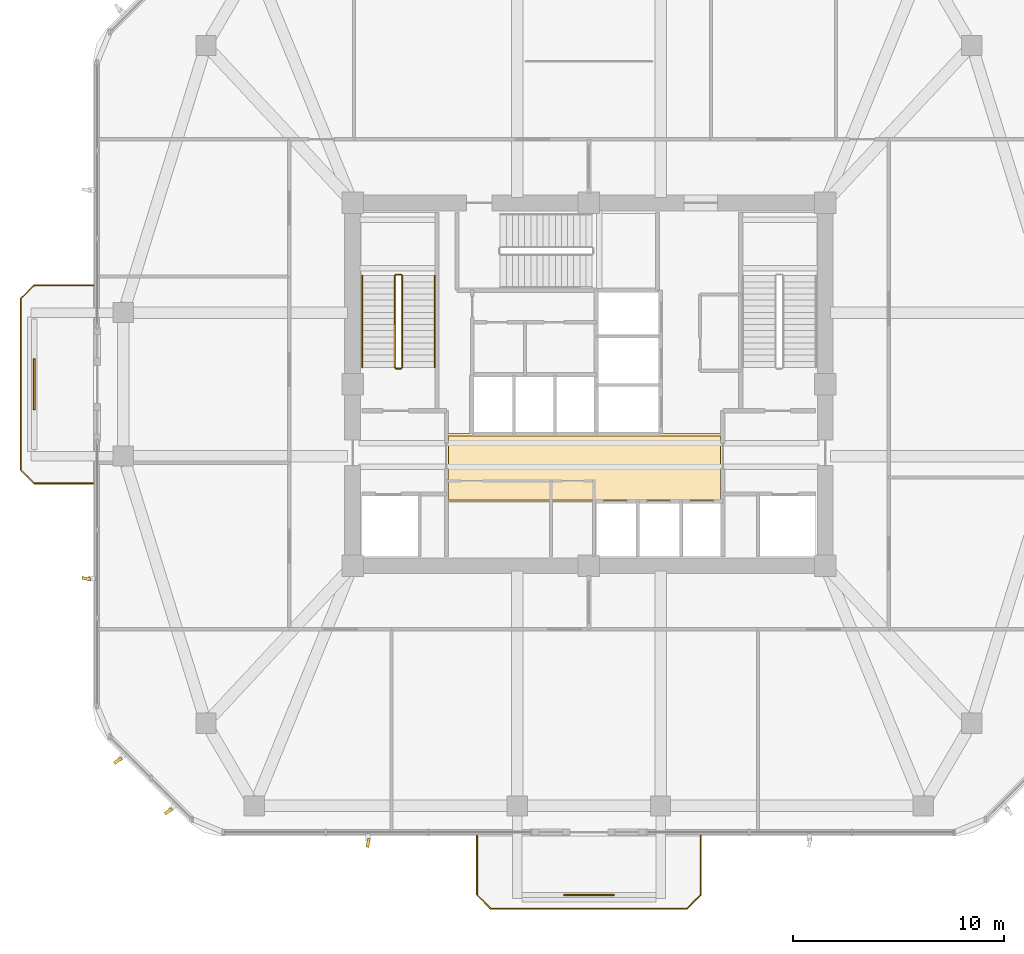
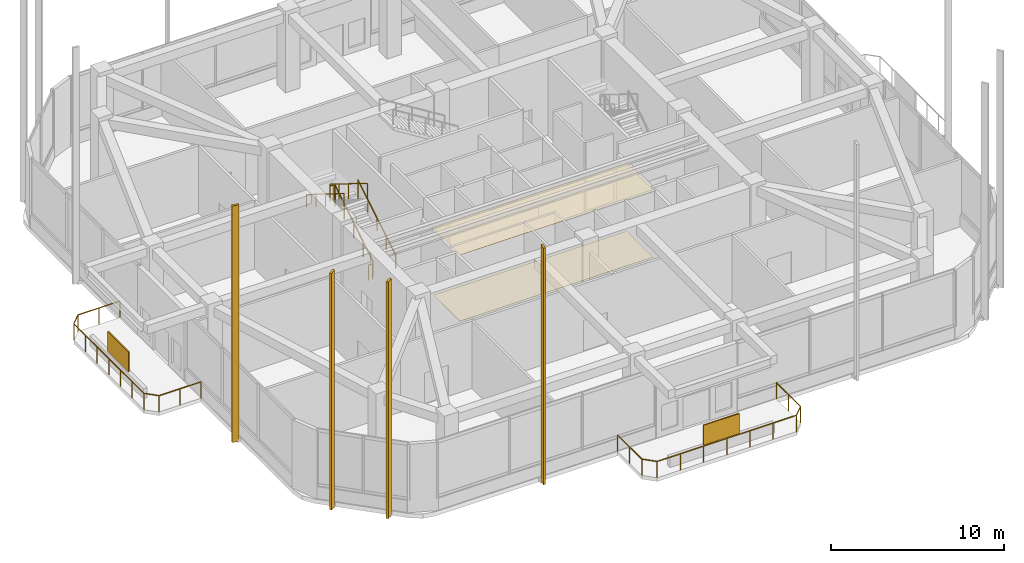
# One storey, part 10 of 12: 8 railings, 6 shading devices, 2 coverings.
"""IFC4 building model written with IfcOpenShell, lengths in metres."""

from ifc_helpers import new_model, si_unit, derived_unit, direction, frame, origin, origin_2d, place, context, subcontext, project, spatial, polyline, rectangle, outline, extrude, material, layer, layer_set, type_object, element, save


model = new_model("IFC4")

# Units and contexts
model_context = context("Model", 3, precision=1e-05, world=origin(), true_north=direction((0.0, 1.0)))
body_context = subcontext(model_context, "Body", "Model", "MODEL_VIEW")
ifc_project = project(units=[si_unit("LENGTHUNIT", "METRE"), si_unit("AREAUNIT", "SQUARE_METRE"), si_unit("VOLUMEUNIT", "CUBIC_METRE"), si_unit("PLANEANGLEUNIT", "RADIAN"), si_unit("MASSUNIT", "GRAM", prefix="KILO"), derived_unit("THERMALTRANSMITTANCEUNIT", [(si_unit("POWERUNIT", "WATT"), 1), (si_unit("LENGTHUNIT", "METRE"), -2), (si_unit("THERMODYNAMICTEMPERATUREUNIT", "KELVIN"), -1)])], contexts=[model_context])

# Site, building, storey
site_placement = place(None, origin())
site = spatial("IfcSite", under=ifc_project, at=site_placement, CompositionType="ELEMENT")
building_placement = place(site_placement, origin())
building = spatial("IfcBuilding", under=site, at=building_placement, Name="Koralith Skygarden Medical Center", CompositionType="ELEMENT")
storey_placement = place(building_placement, frame((0.0, 0.0, 129.06005859375)))
storey = spatial("IfcBuildingStorey", under=building, at=storey_placement, Name="L33", CompositionType="ELEMENT", Elevation=129.06005859375)

# Covering
ifc_material_1 = material(Name="Acoustic Mineral Tile")
ifc_layer_1 = layer(ifc_material_1, 0.02001953125)
ifc_layer_set_1 = layer_set([ifc_layer_1], Name="Acoustic Mineral Tile")
covering_type_1 = type_object("IfcCoveringType", Name="Acoustic Hygienic Mineral Ceiling 20", PredefinedType="CEILING", material=ifc_layer_set_1)
covering_1_placement = place(storey_placement, frame((0.0, 0.0, 4.744873046875)))
element("IfcCovering", 1, at=covering_1_placement, inside=storey, type_object=covering_type_1, Name="L33 Core Lobby Acoustic Ceiling", PredefinedType="CEILING", context=body_context, shape_type="SweptSolid", body=[
    extrude(outline(polyline([(30.25, 20.320068359375), (43.35009765625, 20.320068359375), (43.35009765625, 23.56005859375), (30.25, 23.56005859375), (30.25, 20.320068359375)])), origin(), (0.0, 0.0, 1.0), 0.02001953125),
])

# Shading devices
ifc_material_2 = material(Name="Aluminium 6063-T6", Category="aluminium")
shading_device_type_1 = type_object("IfcShadingDeviceType", Name="Limestone-Clad Solar Storm Fin 420", PredefinedType="USERDEFINED", material=ifc_material_2)
for number, where, z_axis, x_axis, name in (
    (2, (26.5400390625, 4.169921875, -0.199951171875), (0.0, 0.0, 1.0), (-0.17930018116, -0.983794411976, 0.0), "L33 S Harmonic Solar Storm Fin 1"),
    (3, (13.18603515625, 16.68994140625, -0.199951171875), (0.0, 0.0, 1.0), (-0.986406322753, 0.164324576475, 0.0), "L33 W Harmonic Solar Storm Fin 2"),
    (4, (14.68408203125, 8.06591796875, -0.199951171875), (0.0, 0.0, 1.0), (-0.822432073968, -0.568863326036, 0.0), "L33 SW Harmonic Solar Storm Fin 1"),
    (5, (17.08203125, 5.66796875, -0.199951171875), (0.0, 0.0, 1.0), (-0.813689622165, -0.581299577483, 0.0), "L33 SW Harmonic Solar Storm Fin 2"),
):
    element("IfcShadingDevice", number, at=place(storey_placement, frame(where, z_axis=z_axis, x_axis=x_axis)), inside=storey, type_object=shading_device_type_1, Name=name, ObjectType="SOLAR FIN", PredefinedType="USERDEFINED", context=body_context, shape_type="SweptSolid", body=[
        extrude(rectangle(XDim=0.419921875, YDim=0.139892578125, at=origin_2d()), origin(), (0.0, 0.0, 1.0), 16.7099609375),
    ])

# Railings
ifc_material_3 = material(Name="Steel ASTM A500 Grade C", Category="steel")
railing_type_1 = type_object("IfcRailingType", Name="Outdoor Terrace & Balcony Safety Guardrail 1180", PredefinedType="GUARDRAIL", material=ifc_material_3)
railing_1_placement = place(storey_placement, frame((31.699951171875, 4.5, 0.0)))
element("IfcRailing", 6, at=railing_1_placement, inside=storey, type_object=railing_type_1, Name="L33 S Balcony Perimeter Guardrail", PredefinedType="GUARDRAIL", context=body_context, shape_type="SweptSolid", body=[
    extrude(rectangle(XDim=0.050048828125, YDim=0.050048828125, at=origin_2d()), frame((0.0, -0.001953125, 1.15478515625), z_axis=(0.0, -1.0, 0.0), x_axis=(1.0, 0.0, 0.0)), (0.0, 0.0, 1.0), 2.796142578125),
    extrude(rectangle(XDim=0.050048828125, YDim=0.050048828125, at=origin_2d()), frame((0.00146484375, -2.801513671875, 1.15478515625), z_axis=(0.707239558722, -0.706973978714, 0.0), x_axis=(0.706973978714, 0.707239558722, 0.0)), (0.0, 0.0, 1.0), 0.915283203125),
    extrude(rectangle(XDim=0.050048828125, YDim=0.050048828125, at=origin_2d()), frame((0.652099609375, -3.449951171875, 1.15478515625), z_axis=(1.0, 0.0, 0.0), x_axis=(0.0, 1.0, 0.0)), (0.0, 0.0, 1.0), 9.2958984375),
    extrude(rectangle(XDim=0.050048828125, YDim=0.050048828125, at=origin_2d()), frame((9.951416015625, -3.448486328125, 1.15478515625), z_axis=(0.707239558722, 0.706973978714, 0.0), x_axis=(-0.706973978714, 0.707239558722, 0.0)), (0.0, 0.0, 1.0), 0.915283203125),
    extrude(rectangle(XDim=0.050048828125, YDim=0.050048828125, at=origin_2d()), frame((10.60009765625, -2.798095703125, 1.15478515625), z_axis=(0.0, 1.0, 0.0), x_axis=(-1.0, 0.0, 0.0)), (0.0, 0.0, 1.0), 2.796142578125),
    extrude(rectangle(XDim=0.0419921875, YDim=0.0419921875, at=origin_2d()), origin(), (0.0, 0.0, 1.0), 1.1279296875),
    extrude(rectangle(XDim=0.0419921875, YDim=0.0419921875, at=origin_2d()), frame((0.0, -1.39990234375, 0.0)), (0.0, 0.0, 1.0), 1.1279296875),
    extrude(rectangle(XDim=0.0419921875, YDim=0.0419921875, at=origin_2d()), frame((0.0, -2.800048828125, 0.0)), (0.0, 0.0, 1.0), 1.1279296875),
    extrude(rectangle(XDim=0.0419921875, YDim=0.0419921875, at=origin_2d()), frame((0.650146484375, -3.449951171875, 0.0)), (0.0, 0.0, 1.0), 1.1279296875),
    extrude(rectangle(XDim=0.0419921875, YDim=0.0419921875, at=origin_2d()), frame((2.2001953125, -3.449951171875, 0.0)), (0.0, 0.0, 1.0), 1.1279296875),
    extrude(rectangle(XDim=0.0419921875, YDim=0.0419921875, at=origin_2d()), frame((3.75, -3.449951171875, 0.0)), (0.0, 0.0, 1.0), 1.1279296875),
    extrude(rectangle(XDim=0.0419921875, YDim=0.0419921875, at=origin_2d()), frame((5.300048828125, -3.449951171875, 0.0)), (0.0, 0.0, 1.0), 1.1279296875),
    extrude(rectangle(XDim=0.0419921875, YDim=0.0419921875, at=origin_2d()), frame((6.85009765625, -3.449951171875, 0.0)), (0.0, 0.0, 1.0), 1.1279296875),
    extrude(rectangle(XDim=0.0419921875, YDim=0.0419921875, at=origin_2d()), frame((8.39990234375, -3.449951171875, 0.0)), (0.0, 0.0, 1.0), 1.1279296875),
    extrude(rectangle(XDim=0.0419921875, YDim=0.0419921875, at=origin_2d()), frame((9.949951171875, -3.449951171875, 0.0)), (0.0, 0.0, 1.0), 1.1279296875),
    extrude(rectangle(XDim=0.0419921875, YDim=0.0419921875, at=origin_2d()), frame((10.60009765625, -2.800048828125, 0.0)), (0.0, 0.0, 1.0), 1.1279296875),
    extrude(rectangle(XDim=0.0419921875, YDim=0.0419921875, at=origin_2d()), frame((10.60009765625, -1.39990234375, 0.0)), (0.0, 0.0, 1.0), 1.1279296875),
    extrude(rectangle(XDim=0.0419921875, YDim=0.0419921875, at=origin_2d()), frame((10.60009765625, 0.0, 0.0)), (0.0, 0.0, 1.0), 1.1279296875),
])
railing_2_placement = place(storey_placement, frame((13.51611328125, 21.199951171875, 0.0)))
element("IfcRailing", 7, at=railing_2_placement, inside=storey, type_object=railing_type_1, Name="L33 W Balcony Perimeter Guardrail", PredefinedType="GUARDRAIL", context=body_context, shape_type="SweptSolid", body=[
    extrude(rectangle(XDim=0.050048828125, YDim=0.050048828125, at=origin_2d()), frame((-0.001953125, 0.0, 1.15478515625), z_axis=(-1.0, 0.0, 0.0), x_axis=(0.0, -1.0, 0.0)), (0.0, 0.0, 1.0), 2.796142578125),
    extrude(rectangle(XDim=0.050048828125, YDim=0.050048828125, at=origin_2d()), frame((-2.801513671875, 0.00146484375, 1.15478515625), z_axis=(-0.707106781187, 0.707106781187, 0.0), x_axis=(-0.707106781187, -0.707106781187, 0.0)), (0.0, 0.0, 1.0), 0.91552734375),
    extrude(rectangle(XDim=0.050048828125, YDim=0.050048828125, at=origin_2d()), frame((-3.4501953125, 0.652099609375, 1.15478515625), z_axis=(0.0, 1.0, 0.0), x_axis=(-1.0, 0.0, 0.0)), (0.0, 0.0, 1.0), 8.095947265625),
    extrude(rectangle(XDim=0.050048828125, YDim=0.050048828125, at=origin_2d()), frame((-3.44873046875, 8.75146484375, 1.15478515625), z_axis=(0.707106781187, 0.707106781187, 0.0), x_axis=(-0.707106781187, 0.707106781187, 0.0)), (0.0, 0.0, 1.0), 0.91552734375),
    extrude(rectangle(XDim=0.050048828125, YDim=0.050048828125, at=origin_2d()), frame((-2.798095703125, 9.400146484375, 1.15478515625), z_axis=(1.0, 0.0, 0.0), x_axis=(0.0, 1.0, 0.0)), (0.0, 0.0, 1.0), 2.796142578125),
    extrude(rectangle(XDim=0.0419921875, YDim=0.0419921875, at=origin_2d()), origin(), (0.0, 0.0, 1.0), 1.1279296875),
    extrude(rectangle(XDim=0.0419921875, YDim=0.0419921875, at=origin_2d()), frame((-1.39990234375, 0.0, 0.0)), (0.0, 0.0, 1.0), 1.1279296875),
    extrude(rectangle(XDim=0.0419921875, YDim=0.0419921875, at=origin_2d()), frame((-2.800048828125, 0.0, 0.0)), (0.0, 0.0, 1.0), 1.1279296875),
    extrude(rectangle(XDim=0.0419921875, YDim=0.0419921875, at=origin_2d()), frame((-3.4501953125, 0.650146484375, 0.0)), (0.0, 0.0, 1.0), 1.1279296875),
    extrude(rectangle(XDim=0.0419921875, YDim=0.0419921875, at=origin_2d()), frame((-3.4501953125, 2.0, 0.0)), (0.0, 0.0, 1.0), 1.1279296875),
    extrude(rectangle(XDim=0.0419921875, YDim=0.0419921875, at=origin_2d()), frame((-3.4501953125, 3.35009765625, 0.0)), (0.0, 0.0, 1.0), 1.1279296875),
    extrude(rectangle(XDim=0.0419921875, YDim=0.0419921875, at=origin_2d()), frame((-3.4501953125, 4.7001953125, 0.0)), (0.0, 0.0, 1.0), 1.1279296875),
    extrude(rectangle(XDim=0.0419921875, YDim=0.0419921875, at=origin_2d()), frame((-3.4501953125, 6.050048828125, 0.0)), (0.0, 0.0, 1.0), 1.1279296875),
    extrude(rectangle(XDim=0.0419921875, YDim=0.0419921875, at=origin_2d()), frame((-3.4501953125, 7.39990234375, 0.0)), (0.0, 0.0, 1.0), 1.1279296875),
    extrude(rectangle(XDim=0.0419921875, YDim=0.0419921875, at=origin_2d()), frame((-3.4501953125, 8.75, 0.0)), (0.0, 0.0, 1.0), 1.1279296875),
    extrude(rectangle(XDim=0.0419921875, YDim=0.0419921875, at=origin_2d()), frame((-2.800048828125, 9.400146484375, 0.0)), (0.0, 0.0, 1.0), 1.1279296875),
    extrude(rectangle(XDim=0.0419921875, YDim=0.0419921875, at=origin_2d()), frame((-1.39990234375, 9.400146484375, 0.0)), (0.0, 0.0, 1.0), 1.1279296875),
    extrude(rectangle(XDim=0.0419921875, YDim=0.0419921875, at=origin_2d()), frame((0.0, 9.400146484375, 0.0)), (0.0, 0.0, 1.0), 1.1279296875),
])

# Shading devices
ifc_layer_2 = layer(ifc_material_2, 0.080078125)
ifc_layer_set_2 = layer_set([ifc_layer_2], Name="Aluminium 6063-T6")
shading_device_type_2 = type_object("IfcShadingDeviceType", Name="Perforated Biophilic Balcony Trellis Screen", PredefinedType="USERDEFINED", material=ifc_layer_set_2)
for number, where, z_axis, x_axis, name in (
    (8, (37.0, 1.699951171875, 0.719970703125), (0.0, 0.0, 1.0), (1.0, 0.0, 0.0), "L33 S Biophilic Balcony Trellis Screen"),
    (9, (10.716064453125, 25.89990234375, 0.719970703125), (0.0, 0.0, 1.0), (0.0, 1.0, 0.0), "L33 W Biophilic Balcony Trellis Screen"),
):
    element("IfcShadingDevice", number, at=place(storey_placement, frame(where, z_axis=z_axis, x_axis=x_axis)), inside=storey, type_object=shading_device_type_2, Name=name, ObjectType="HURRICANE SCREEN", PredefinedType="USERDEFINED", context=body_context, shape_type="SweptSolid", body=[
        extrude(rectangle(XDim=2.39990234375, YDim=0.080078125, at=origin_2d()), origin(), (0.0, 0.0, 1.0), 1.39990234375),
    ])

# Covering
ifc_material_4 = material(Name="Medical Terrazzo Flooring")
ifc_layer_3 = layer(ifc_material_4, 0.014892578125)
ifc_layer_set_3 = layer_set([ifc_layer_3], Name="Medical Terrazzo Flooring")
covering_type_2 = type_object("IfcCoveringType", Name="Seamless Antimicrobial Terrazzo Flooring 15", PredefinedType="FLOORING", material=ifc_layer_set_3)
covering_2_placement = place(storey_placement, origin())
element("IfcCovering", 10, at=covering_2_placement, inside=storey, type_object=covering_type_2, Name="L33 Core Lobby Terrazzo Flooring", PredefinedType="FLOORING", context=body_context, shape_type="SweptSolid", body=[
    extrude(outline(polyline([(30.35009765625, 20.419921875), (43.25, 20.419921875), (43.25, 23.4599609375), (30.35009765625, 23.4599609375), (30.35009765625, 20.419921875)])), origin(), (0.0, 0.0, 1.0), 0.014892578125),
])

# Railings
railing_type_2 = type_object("IfcRailingType", Name="Stair Flight Tubular Handrail 920", PredefinedType="HANDRAIL", material=ifc_material_3)
railing_3_placement = place(storey_placement, frame((29.699951171875, 26.699951171875, 0.179931640625)))
element("IfcRailing", 11, at=railing_3_placement, inside=storey, type_object=railing_type_2, Name="L33 ST1 stair handrail 1", PredefinedType="HANDRAIL", context=body_context, shape_type="SweptSolid", body=[
    extrude(rectangle(XDim=0.050048828125, YDim=0.050048828125, at=origin_2d()), frame((0.0, 0.001708984375, 0.89599609375), z_axis=(0.0, 0.849649743971, 0.527347430608), x_axis=(-1.0, 0.0, 0.0)), (0.0, 0.0, 1.0), 5.115966796875),
    extrude(rectangle(XDim=0.0419921875, YDim=0.0419921875, at=origin_2d()), origin(), (0.0, 0.0, 1.0), 0.867919921875),
    extrude(rectangle(XDim=0.0419921875, YDim=0.0419921875, at=origin_2d()), frame((0.0, 1.08740234375, 0.675048828125)), (0.0, 0.0, 1.0), 0.867919921875),
    extrude(rectangle(XDim=0.0419921875, YDim=0.0419921875, at=origin_2d()), frame((0.0, 2.175048828125, 1.35009765625)), (0.0, 0.0, 1.0), 0.867919921875),
    extrude(rectangle(XDim=0.0419921875, YDim=0.0419921875, at=origin_2d()), frame((0.0, 3.2626953125, 2.02490234375)), (0.0, 0.0, 1.0), 0.867919921875),
    extrude(rectangle(XDim=0.0419921875, YDim=0.0419921875, at=origin_2d()), frame((0.0, 4.35009765625, 2.699951171875)), (0.0, 0.0, 1.0), 0.867919921875),
])
railing_4_placement = place(storey_placement, frame((26.25, 31.050048828125, 3.06005859375)))
element("IfcRailing", 12, at=railing_4_placement, inside=storey, type_object=railing_type_2, Name="L33 ST1 stair handrail 2", PredefinedType="HANDRAIL", context=body_context, shape_type="SweptSolid", body=[
    extrude(rectangle(XDim=0.050048828125, YDim=0.050048828125, at=origin_2d()), frame((0.0, -0.001708984375, 0.89599609375), z_axis=(0.0, -0.849649743971, 0.527347430608), x_axis=(1.0, 0.0, 0.0)), (0.0, 0.0, 1.0), 5.115966796875),
    extrude(rectangle(XDim=0.0419921875, YDim=0.0419921875, at=origin_2d()), origin(), (0.0, 0.0, 1.0), 0.867919921875),
    extrude(rectangle(XDim=0.0419921875, YDim=0.0419921875, at=origin_2d()), frame((0.0, -1.08740234375, 0.675048828125)), (0.0, 0.0, 1.0), 0.867919921875),
    extrude(rectangle(XDim=0.0419921875, YDim=0.0419921875, at=origin_2d()), frame((0.0, -2.175048828125, 1.35009765625)), (0.0, 0.0, 1.0), 0.867919921875),
    extrude(rectangle(XDim=0.0419921875, YDim=0.0419921875, at=origin_2d()), frame((0.0, -3.2626953125, 2.02490234375)), (0.0, 0.0, 1.0), 0.867919921875),
    extrude(rectangle(XDim=0.0419921875, YDim=0.0419921875, at=origin_2d()), frame((0.0, -4.35009765625, 2.699951171875)), (0.0, 0.0, 1.0), 0.867919921875),
])
railing_type_3 = type_object("IfcRailingType", Name="Stair Well Safety Guardrail 1100", PredefinedType="GUARDRAIL", material=ifc_material_3)
railing_5_placement = place(storey_placement, frame((28.14990234375, 26.699951171875, 0.179931640625)))
element("IfcRailing", 13, at=railing_5_placement, inside=storey, type_object=railing_type_3, Name="L33 ST1 stair guard 1", PredefinedType="GUARDRAIL", context=body_context, shape_type="SweptSolid", body=[
    extrude(rectangle(XDim=0.050048828125, YDim=0.050048828125, at=origin_2d()), frame((0.0, 0.001708984375, 1.076171875), z_axis=(0.0, 0.849649743971, 0.527347430608), x_axis=(-1.0, 0.0, 0.0)), (0.0, 0.0, 1.0), 5.115966796875),
    extrude(rectangle(XDim=0.0419921875, YDim=0.0419921875, at=origin_2d()), origin(), (0.0, 0.0, 1.0), 1.048095703125),
    extrude(rectangle(XDim=0.0419921875, YDim=0.0419921875, at=origin_2d()), frame((0.0, 1.08740234375, 0.675048828125)), (0.0, 0.0, 1.0), 1.048095703125),
    extrude(rectangle(XDim=0.0419921875, YDim=0.0419921875, at=origin_2d()), frame((0.0, 2.175048828125, 1.35009765625)), (0.0, 0.0, 1.0), 1.048095703125),
    extrude(rectangle(XDim=0.0419921875, YDim=0.0419921875, at=origin_2d()), frame((0.0, 3.2626953125, 2.02490234375)), (0.0, 0.0, 1.0), 1.048095703125),
    extrude(rectangle(XDim=0.0419921875, YDim=0.0419921875, at=origin_2d()), frame((0.0, 4.35009765625, 2.699951171875)), (0.0, 0.0, 1.0), 1.048095703125),
])
railing_6_placement = place(storey_placement, frame((28.10009765625, 31.10009765625, 2.8798828125)))
element("IfcRailing", 14, at=railing_6_placement, inside=storey, type_object=railing_type_3, Name="L33 ST1 stair guard 2", PredefinedType="GUARDRAIL", context=body_context, shape_type="SweptSolid", body=[
    extrude(rectangle(XDim=0.050048828125, YDim=0.050048828125, at=origin_2d()), frame((-0.001953125, 0.0, 1.0751953125), z_axis=(-1.0, 0.0, 0.0), x_axis=(0.0, -1.0, 0.0)), (0.0, 0.0, 1.0), 0.24609375),
    extrude(rectangle(XDim=0.0419921875, YDim=0.0419921875, at=origin_2d()), origin(), (0.0, 0.0, 1.0), 1.048095703125),
    extrude(rectangle(XDim=0.0419921875, YDim=0.0419921875, at=origin_2d()), frame((-0.25, 0.0, 0.0)), (0.0, 0.0, 1.0), 1.048095703125),
])
railing_7_placement = place(storey_placement, frame((27.800048828125, 31.050048828125, 3.06005859375)))
element("IfcRailing", 15, at=railing_7_placement, inside=storey, type_object=railing_type_3, Name="L33 ST1 stair guard 3", PredefinedType="GUARDRAIL", context=body_context, shape_type="SweptSolid", body=[
    extrude(rectangle(XDim=0.050048828125, YDim=0.050048828125, at=origin_2d()), frame((0.0, -0.001708984375, 1.076171875), z_axis=(0.0, -0.849649743971, 0.527347430608), x_axis=(1.0, 0.0, 0.0)), (0.0, 0.0, 1.0), 5.115966796875),
    extrude(rectangle(XDim=0.0419921875, YDim=0.0419921875, at=origin_2d()), origin(), (0.0, 0.0, 1.0), 1.048095703125),
    extrude(rectangle(XDim=0.0419921875, YDim=0.0419921875, at=origin_2d()), frame((0.0, -1.08740234375, 0.675048828125)), (0.0, 0.0, 1.0), 1.048095703125),
    extrude(rectangle(XDim=0.0419921875, YDim=0.0419921875, at=origin_2d()), frame((0.0, -2.175048828125, 1.35009765625)), (0.0, 0.0, 1.0), 1.048095703125),
    extrude(rectangle(XDim=0.0419921875, YDim=0.0419921875, at=origin_2d()), frame((0.0, -3.2626953125, 2.02490234375)), (0.0, 0.0, 1.0), 1.048095703125),
    extrude(rectangle(XDim=0.0419921875, YDim=0.0419921875, at=origin_2d()), frame((0.0, -4.35009765625, 2.699951171875)), (0.0, 0.0, 1.0), 1.048095703125),
])
railing_8_placement = place(storey_placement, frame((28.10009765625, 26.64990234375, 0.0)))
element("IfcRailing", 16, at=railing_8_placement, inside=storey, type_object=railing_type_3, Name="L33 ST1 stair guard 4", PredefinedType="GUARDRAIL", context=body_context, shape_type="SweptSolid", body=[
    extrude(rectangle(XDim=0.050048828125, YDim=0.050048828125, at=origin_2d()), frame((-0.001953125, 0.0, 1.0751953125), z_axis=(-1.0, 0.0, 0.0), x_axis=(0.0, -1.0, 0.0)), (0.0, 0.0, 1.0), 0.24609375),
    extrude(rectangle(XDim=0.0419921875, YDim=0.0419921875, at=origin_2d()), origin(), (0.0, 0.0, 1.0), 1.048095703125),
    extrude(rectangle(XDim=0.0419921875, YDim=0.0419921875, at=origin_2d()), frame((-0.25, 0.0, 0.0)), (0.0, 0.0, 1.0), 1.048095703125),
])

save(model, "model.ifc")
